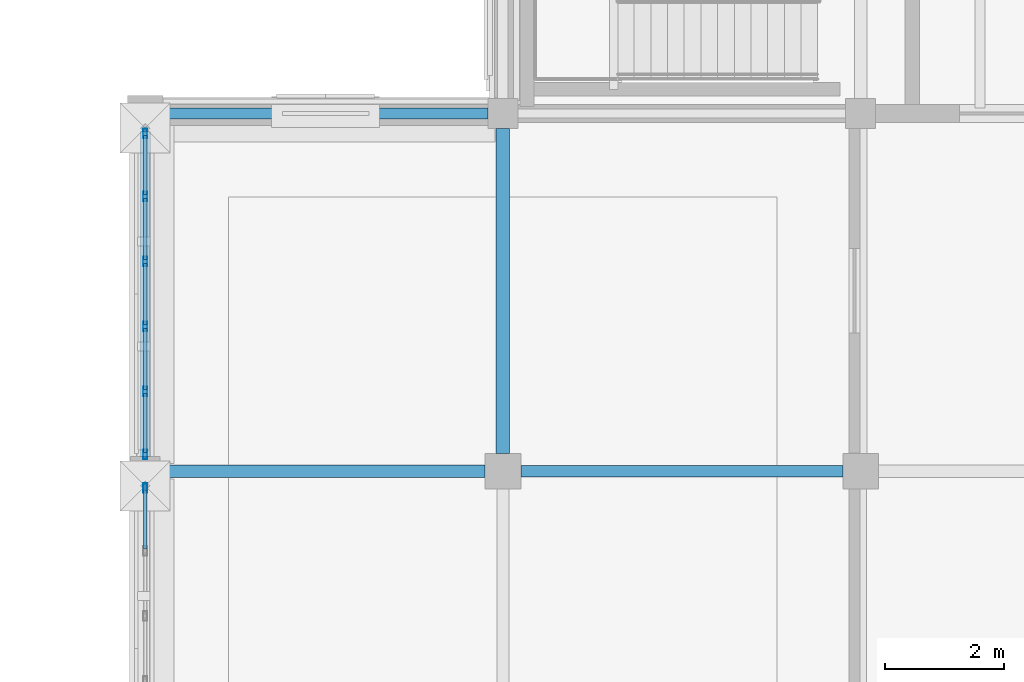
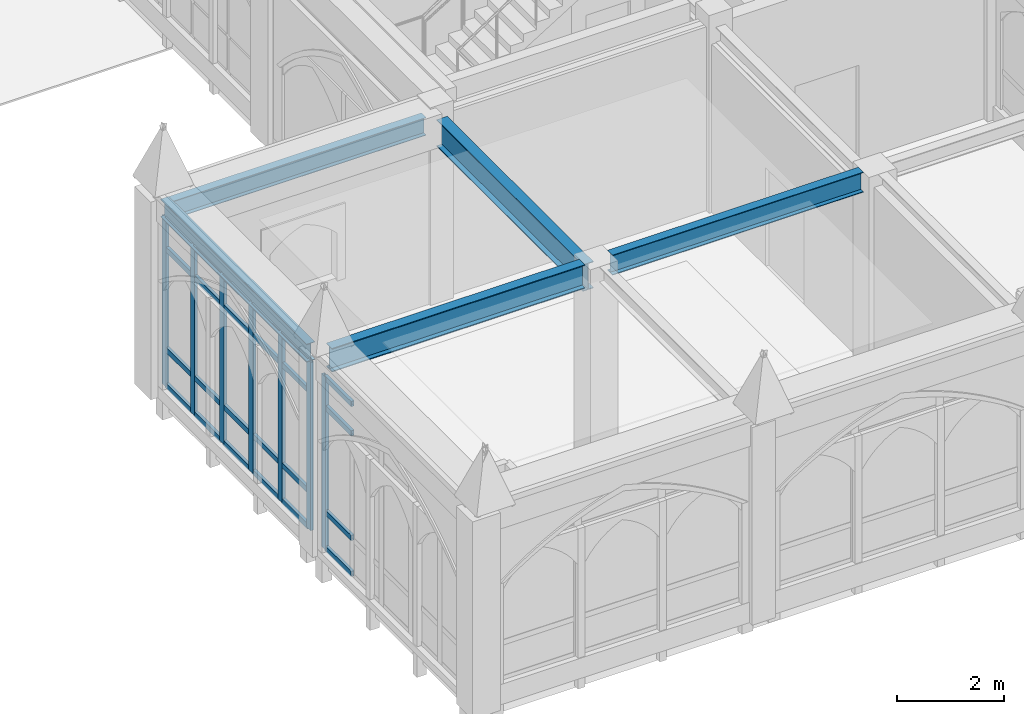
# One storey, part 8 of 127: 31 members, 5 beams, 2 elements without a shape of their own.
"""IFC4 building model written with IfcOpenShell, lengths in metres."""

from ifc_helpers import new_model, si_unit, direction, frame, origin, origin_2d, place, context, subcontext, project, spatial, hollow_rectangle, i_section, extrude, material, layer, layer_set, material_profile, profile_set, type_object, element, aggregate, save


model = new_model("IFC4")

# Units and contexts
model_context = context("Model", 3, precision=1e-05, world=origin(), true_north=direction((0.0, 1.0)))
body_context = subcontext(model_context, "Body", "Model", "MODEL_VIEW")
ifc_project = project(units=[si_unit("LENGTHUNIT", "METRE"), si_unit("AREAUNIT", "SQUARE_METRE"), si_unit("VOLUMEUNIT", "CUBIC_METRE"), si_unit("PLANEANGLEUNIT", "RADIAN"), si_unit("MASSUNIT", "GRAM", prefix="KILO")], contexts=[model_context])

# Site, building, storey
site_placement = place(None, origin())
site = spatial("IfcSite", under=ifc_project, at=site_placement, CompositionType="ELEMENT")
building_placement = place(site_placement, origin())
building = spatial("IfcBuilding", under=site, at=building_placement, Name="Cumevento Cable Car Station", CompositionType="ELEMENT")
storey_placement = place(building_placement, frame((0.0, 0.0, 4.5)))
storey = spatial("IfcBuildingStorey", under=building, at=storey_placement, Name="L02", CompositionType="ELEMENT", Elevation=4.5)

# Curtain wall, member
ifc_material_1 = material(Name="Anodised Bronze Aluminium AW-6063-T6", Category="aluminium")
ifc_layer_1 = layer(ifc_material_1, 0.159912109375)
ifc_layer_set_1 = layer_set([ifc_layer_1], Name="Anodised Bronze Aluminium AW-6063-T6")
curtain_wall_type_1 = type_object("IfcCurtainWallType", Name="Lancet Curtain Wall CW-01 1050", PredefinedType="NOTDEFINED", material=ifc_layer_set_1)
curtain_wall_1_placement = place(storey_placement, origin())
curtain_wall_1 = element("IfcCurtainWall", 1, at=curtain_wall_1_placement, inside=storey, type_object=curtain_wall_type_1, Name="Lancet Curtain Wall CW-01 L02 #48", PredefinedType="NOTDEFINED")
ifc_material_2 = material(Name="Anodised Bronze Aluminium AW-6063-T6", Category="aluminium")
ifc_material_profile_1 = material_profile(ifc_material_2, hollow_rectangle(XDim=0.06494140625, YDim=0.159912109375, WallThickness=0.00390625, at=origin_2d()), Name="ALUM65x160x4")
ifc_profile_set_1 = profile_set([ifc_material_profile_1], Name="Anodised Bronze Aluminium AW-6063-T6")
member_type_1 = type_object("IfcMemberType", Name="Curtain Mullion CWM-01 ALUM65x160x4", PredefinedType="MULLION", material=ifc_profile_set_1)
member_1_placement = place(storey_placement, frame((4.0, 20.717529296875, 0.159912109375), z_axis=(0.0, 0.0, 1.0), x_axis=(-1.0, 0.0, 0.0)))
member_1 = element("IfcMember", 2, at=member_1_placement, type_object=member_type_1, Name="CW-01 mullion 6", PredefinedType="MULLION", context=body_context, shape_type="SweptSolid", body=[
    extrude(hollow_rectangle(XDim=0.06494140625, YDim=0.159912109375, WallThickness=0.00390625, at=origin_2d()), origin(), (0.0, 0.0, 1.0), 3.93310546875),
])

# Curtain wall, members
ifc_material_3 = material(Name="Anodised Bronze Aluminium AW-6063-T6", Category="aluminium")
ifc_layer_2 = layer(ifc_material_3, 0.172119140625)
ifc_layer_set_2 = layer_set([ifc_layer_2], Name="Anodised Bronze Aluminium AW-6063-T6")
curtain_wall_type_2 = type_object("IfcCurtainWallType", Name="Lancet Curtain Wall CW-03 1130", PredefinedType="NOTDEFINED", material=ifc_layer_set_2)
curtain_wall_2_placement = place(storey_placement, origin())
curtain_wall_2 = element("IfcCurtainWall", 3, at=curtain_wall_2_placement, inside=storey, type_object=curtain_wall_type_2, Name="Lancet Curtain Wall CW-03 L02 #50", PredefinedType="NOTDEFINED")
member_2_placement = place(storey_placement, frame((4.0, 21.282470703125, 0.260009765625), z_axis=(0.0, 0.0, 1.0), x_axis=(-1.0, 0.0, 0.0)))
member_2 = element("IfcMember", 4, at=member_2_placement, type_object=member_type_1, Name="CW-03 mullion 1", PredefinedType="MULLION", context=body_context, shape_type="SweptSolid", body=[
    extrude(hollow_rectangle(XDim=0.06494140625, YDim=0.159912109375, WallThickness=0.00390625, at=origin_2d()), origin(), (0.0, 0.0, 1.0), 3.8330078125),
])
member_3_placement = place(storey_placement, frame((4.0, 22.340087890625, 0.260009765625), z_axis=(0.0, 0.0, 1.0), x_axis=(-1.0, 0.0, 0.0)))
member_3 = element("IfcMember", 5, at=member_3_placement, type_object=member_type_1, Name="CW-03 mullion 2", PredefinedType="MULLION", context=body_context, shape_type="SweptSolid", body=[
    extrude(hollow_rectangle(XDim=0.06494140625, YDim=0.159912109375, WallThickness=0.00390625, at=origin_2d()), origin(), (0.0, 0.0, 1.0), 3.8330078125),
])
member_4_placement = place(storey_placement, frame((4.0, 23.429931640625, 0.260009765625), z_axis=(0.0, 0.0, 1.0), x_axis=(-1.0, 0.0, 0.0)))
member_4 = element("IfcMember", 6, at=member_4_placement, type_object=member_type_1, Name="CW-03 mullion 3", PredefinedType="MULLION", context=body_context, shape_type="SweptSolid", body=[
    extrude(hollow_rectangle(XDim=0.06494140625, YDim=0.159912109375, WallThickness=0.00390625, at=origin_2d()), origin(), (0.0, 0.0, 1.0), 3.8330078125),
])
member_5_placement = place(storey_placement, frame((4.0, 24.52001953125, 0.260009765625), z_axis=(0.0, 0.0, 1.0), x_axis=(-1.0, 0.0, 0.0)))
member_5 = element("IfcMember", 7, at=member_5_placement, type_object=member_type_1, Name="CW-03 mullion 4", PredefinedType="MULLION", context=body_context, shape_type="SweptSolid", body=[
    extrude(hollow_rectangle(XDim=0.06494140625, YDim=0.159912109375, WallThickness=0.00390625, at=origin_2d()), origin(), (0.0, 0.0, 1.0), 3.8330078125),
])
member_6_placement = place(storey_placement, frame((4.0, 25.610107421875, 0.260009765625), z_axis=(0.0, 0.0, 1.0), x_axis=(-1.0, 0.0, 0.0)))
member_6 = element("IfcMember", 8, at=member_6_placement, type_object=member_type_1, Name="CW-03 mullion 5", PredefinedType="MULLION", context=body_context, shape_type="SweptSolid", body=[
    extrude(hollow_rectangle(XDim=0.06494140625, YDim=0.159912109375, WallThickness=0.00390625, at=origin_2d()), origin(), (0.0, 0.0, 1.0), 3.8330078125),
])
member_7_placement = place(storey_placement, frame((4.0, 26.66748046875, 0.260009765625), z_axis=(0.0, 0.0, 1.0), x_axis=(-1.0, 0.0, 0.0)))
member_7 = element("IfcMember", 9, at=member_7_placement, type_object=member_type_1, Name="CW-03 mullion 6", PredefinedType="MULLION", context=body_context, shape_type="SweptSolid", body=[
    extrude(hollow_rectangle(XDim=0.06494140625, YDim=0.159912109375, WallThickness=0.00390625, at=origin_2d()), origin(), (0.0, 0.0, 1.0), 3.8330078125),
])

# Member
ifc_material_4 = material(Name="Anodised Bronze Aluminium AW-6063-T6", Category="aluminium")
ifc_material_profile_2 = material_profile(ifc_material_4, hollow_rectangle(XDim=0.06494140625, YDim=0.1201171875, WallThickness=0.00390625, at=origin_2d()), Name="ALUT65x120x4")
ifc_profile_set_2 = profile_set([ifc_material_profile_2], Name="Anodised Bronze Aluminium AW-6063-T6")
member_type_2 = type_object("IfcMemberType", Name="Curtain Transom CWT-01 ALUT65x120x4", PredefinedType="USERDEFINED", material=ifc_profile_set_2)
member_8_placement = place(storey_placement, frame((4.0, 19.6923828125, 0.1923828125), z_axis=(0.0, 1.0, 0.0), x_axis=(-1.0, 0.0, 0.0)))
member_8 = element("IfcMember", 10, at=member_8_placement, type_object=member_type_2, Name="CW-01 transom 5.1", ObjectType="TRANSOM", PredefinedType="USERDEFINED", context=body_context, shape_type="SweptSolid", body=[
    extrude(hollow_rectangle(XDim=0.06494140625, YDim=0.1201171875, WallThickness=0.00390625, at=origin_2d()), origin(), (0.0, 0.0, 1.0), 0.99267578125),
])

member_9_placement = place(storey_placement, frame((4.0, 19.6923828125, 1.010009765625), z_axis=(0.0, 1.0, 0.0), x_axis=(-1.0, 0.0, 0.0)))
member_9 = element("IfcMember", 11, at=member_9_placement, type_object=member_type_2, Name="CW-01 transom 5.2", ObjectType="TRANSOM", PredefinedType="USERDEFINED", context=body_context, shape_type="SweptSolid", body=[
    extrude(hollow_rectangle(XDim=0.06494140625, YDim=0.1201171875, WallThickness=0.00390625, at=origin_2d()), origin(), (0.0, 0.0, 1.0), 0.99267578125),
])

member_10_placement = place(storey_placement, frame((4.0, 19.6923828125, 3.39306640625), z_axis=(0.0, 1.0, 0.0), x_axis=(-1.0, 0.0, 0.0)))
member_10 = element("IfcMember", 12, at=member_10_placement, type_object=member_type_2, Name="CW-01 transom 5.3", ObjectType="TRANSOM", PredefinedType="USERDEFINED", context=body_context, shape_type="SweptSolid", body=[
    extrude(hollow_rectangle(XDim=0.06494140625, YDim=0.1201171875, WallThickness=0.00390625, at=origin_2d()), origin(), (0.0, 0.0, 1.0), 0.99267578125),
])

member_11_placement = place(storey_placement, frame((4.0, 19.6923828125, 4.060546875), z_axis=(0.0, 1.0, 0.0), x_axis=(-1.0, 0.0, 0.0)))
member_11 = element("IfcMember", 13, at=member_11_placement, type_object=member_type_2, Name="CW-01 transom 5.4", ObjectType="TRANSOM", PredefinedType="USERDEFINED", context=body_context, shape_type="SweptSolid", body=[
    extrude(hollow_rectangle(XDim=0.06494140625, YDim=0.1201171875, WallThickness=0.00390625, at=origin_2d()), origin(), (0.0, 0.0, 1.0), 0.99267578125),
])

aggregate(curtain_wall_1, [member_1, member_8, member_9, member_10, member_11])

member_12_placement = place(storey_placement, frame((4.0, 21.31494140625, 0.29248046875), z_axis=(0.0, 1.0, 0.0), x_axis=(-1.0, 0.0, 0.0)))
member_12 = element("IfcMember", 14, at=member_12_placement, type_object=member_type_2, Name="CW-03 transom 1.1", ObjectType="TRANSOM", PredefinedType="USERDEFINED", context=body_context, shape_type="SweptSolid", body=[
    extrude(hollow_rectangle(XDim=0.06494140625, YDim=0.1201171875, WallThickness=0.00390625, at=origin_2d()), origin(), (0.0, 0.0, 1.0), 0.99267578125),
])

member_13_placement = place(storey_placement, frame((4.0, 21.31494140625, 1.110107421875), z_axis=(0.0, 1.0, 0.0), x_axis=(-1.0, 0.0, 0.0)))
member_13 = element("IfcMember", 15, at=member_13_placement, type_object=member_type_2, Name="CW-03 transom 1.2", ObjectType="TRANSOM", PredefinedType="USERDEFINED", context=body_context, shape_type="SweptSolid", body=[
    extrude(hollow_rectangle(XDim=0.06494140625, YDim=0.1201171875, WallThickness=0.00390625, at=origin_2d()), origin(), (0.0, 0.0, 1.0), 0.99267578125),
])

member_14_placement = place(storey_placement, frame((4.0, 21.31494140625, 3.39306640625), z_axis=(0.0, 1.0, 0.0), x_axis=(-1.0, 0.0, 0.0)))
member_14 = element("IfcMember", 16, at=member_14_placement, type_object=member_type_2, Name="CW-03 transom 1.3", ObjectType="TRANSOM", PredefinedType="USERDEFINED", context=body_context, shape_type="SweptSolid", body=[
    extrude(hollow_rectangle(XDim=0.06494140625, YDim=0.1201171875, WallThickness=0.00390625, at=origin_2d()), origin(), (0.0, 0.0, 1.0), 0.99267578125),
])

member_15_placement = place(storey_placement, frame((4.0, 21.31494140625, 4.060546875), z_axis=(0.0, 1.0, 0.0), x_axis=(-1.0, 0.0, 0.0)))
member_15 = element("IfcMember", 17, at=member_15_placement, type_object=member_type_2, Name="CW-03 transom 1.4", ObjectType="TRANSOM", PredefinedType="USERDEFINED", context=body_context, shape_type="SweptSolid", body=[
    extrude(hollow_rectangle(XDim=0.06494140625, YDim=0.1201171875, WallThickness=0.00390625, at=origin_2d()), origin(), (0.0, 0.0, 1.0), 0.99267578125),
])

member_16_placement = place(storey_placement, frame((4.0, 22.37255859375, 0.29248046875), z_axis=(0.0, 1.0, 0.0), x_axis=(-1.0, 0.0, 0.0)))
member_16 = element("IfcMember", 18, at=member_16_placement, type_object=member_type_2, Name="CW-03 transom 2.1", ObjectType="TRANSOM", PredefinedType="USERDEFINED", context=body_context, shape_type="SweptSolid", body=[
    extrude(hollow_rectangle(XDim=0.06494140625, YDim=0.1201171875, WallThickness=0.00390625, at=origin_2d()), origin(), (0.0, 0.0, 1.0), 1.02490234375),
])

member_17_placement = place(storey_placement, frame((4.0, 22.37255859375, 1.110107421875), z_axis=(0.0, 1.0, 0.0), x_axis=(-1.0, 0.0, 0.0)))
member_17 = element("IfcMember", 19, at=member_17_placement, type_object=member_type_2, Name="CW-03 transom 2.2", ObjectType="TRANSOM", PredefinedType="USERDEFINED", context=body_context, shape_type="SweptSolid", body=[
    extrude(hollow_rectangle(XDim=0.06494140625, YDim=0.1201171875, WallThickness=0.00390625, at=origin_2d()), origin(), (0.0, 0.0, 1.0), 1.02490234375),
])

member_18_placement = place(storey_placement, frame((4.0, 22.37255859375, 3.39306640625), z_axis=(0.0, 1.0, 0.0), x_axis=(-1.0, 0.0, 0.0)))
member_18 = element("IfcMember", 20, at=member_18_placement, type_object=member_type_2, Name="CW-03 transom 2.3", ObjectType="TRANSOM", PredefinedType="USERDEFINED", context=body_context, shape_type="SweptSolid", body=[
    extrude(hollow_rectangle(XDim=0.06494140625, YDim=0.1201171875, WallThickness=0.00390625, at=origin_2d()), origin(), (0.0, 0.0, 1.0), 1.02490234375),
])

member_19_placement = place(storey_placement, frame((4.0, 22.37255859375, 4.060546875), z_axis=(0.0, 1.0, 0.0), x_axis=(-1.0, 0.0, 0.0)))
member_19 = element("IfcMember", 21, at=member_19_placement, type_object=member_type_2, Name="CW-03 transom 2.4", ObjectType="TRANSOM", PredefinedType="USERDEFINED", context=body_context, shape_type="SweptSolid", body=[
    extrude(hollow_rectangle(XDim=0.06494140625, YDim=0.1201171875, WallThickness=0.00390625, at=origin_2d()), origin(), (0.0, 0.0, 1.0), 1.02490234375),
])

member_20_placement = place(storey_placement, frame((4.0, 23.46240234375, 0.29248046875), z_axis=(0.0, 1.0, 0.0), x_axis=(-1.0, 0.0, 0.0)))
member_20 = element("IfcMember", 22, at=member_20_placement, type_object=member_type_2, Name="CW-03 transom 3.1", ObjectType="TRANSOM", PredefinedType="USERDEFINED", context=body_context, shape_type="SweptSolid", body=[
    extrude(hollow_rectangle(XDim=0.06494140625, YDim=0.1201171875, WallThickness=0.00390625, at=origin_2d()), origin(), (0.0, 0.0, 1.0), 1.025146484375),
])

member_21_placement = place(storey_placement, frame((4.0, 23.46240234375, 1.110107421875), z_axis=(0.0, 1.0, 0.0), x_axis=(-1.0, 0.0, 0.0)))
member_21 = element("IfcMember", 23, at=member_21_placement, type_object=member_type_2, Name="CW-03 transom 3.2", ObjectType="TRANSOM", PredefinedType="USERDEFINED", context=body_context, shape_type="SweptSolid", body=[
    extrude(hollow_rectangle(XDim=0.06494140625, YDim=0.1201171875, WallThickness=0.00390625, at=origin_2d()), origin(), (0.0, 0.0, 1.0), 1.025146484375),
])

member_22_placement = place(storey_placement, frame((4.0, 23.46240234375, 3.39306640625), z_axis=(0.0, 1.0, 0.0), x_axis=(-1.0, 0.0, 0.0)))
member_22 = element("IfcMember", 24, at=member_22_placement, type_object=member_type_2, Name="CW-03 transom 3.3", ObjectType="TRANSOM", PredefinedType="USERDEFINED", context=body_context, shape_type="SweptSolid", body=[
    extrude(hollow_rectangle(XDim=0.06494140625, YDim=0.1201171875, WallThickness=0.00390625, at=origin_2d()), origin(), (0.0, 0.0, 1.0), 1.025146484375),
])

member_23_placement = place(storey_placement, frame((4.0, 23.46240234375, 4.060546875), z_axis=(0.0, 1.0, 0.0), x_axis=(-1.0, 0.0, 0.0)))
member_23 = element("IfcMember", 25, at=member_23_placement, type_object=member_type_2, Name="CW-03 transom 3.4", ObjectType="TRANSOM", PredefinedType="USERDEFINED", context=body_context, shape_type="SweptSolid", body=[
    extrude(hollow_rectangle(XDim=0.06494140625, YDim=0.1201171875, WallThickness=0.00390625, at=origin_2d()), origin(), (0.0, 0.0, 1.0), 1.025146484375),
])

member_24_placement = place(storey_placement, frame((4.0, 24.552490234375, 0.29248046875), z_axis=(0.0, 1.0, 0.0), x_axis=(-1.0, 0.0, 0.0)))
member_24 = element("IfcMember", 26, at=member_24_placement, type_object=member_type_2, Name="CW-03 transom 4.1", ObjectType="TRANSOM", PredefinedType="USERDEFINED", context=body_context, shape_type="SweptSolid", body=[
    extrude(hollow_rectangle(XDim=0.06494140625, YDim=0.1201171875, WallThickness=0.00390625, at=origin_2d()), origin(), (0.0, 0.0, 1.0), 1.02490234375),
])

member_25_placement = place(storey_placement, frame((4.0, 24.552490234375, 1.110107421875), z_axis=(0.0, 1.0, 0.0), x_axis=(-1.0, 0.0, 0.0)))
member_25 = element("IfcMember", 27, at=member_25_placement, type_object=member_type_2, Name="CW-03 transom 4.2", ObjectType="TRANSOM", PredefinedType="USERDEFINED", context=body_context, shape_type="SweptSolid", body=[
    extrude(hollow_rectangle(XDim=0.06494140625, YDim=0.1201171875, WallThickness=0.00390625, at=origin_2d()), origin(), (0.0, 0.0, 1.0), 1.02490234375),
])

member_26_placement = place(storey_placement, frame((4.0, 24.552490234375, 3.39306640625), z_axis=(0.0, 1.0, 0.0), x_axis=(-1.0, 0.0, 0.0)))
member_26 = element("IfcMember", 28, at=member_26_placement, type_object=member_type_2, Name="CW-03 transom 4.3", ObjectType="TRANSOM", PredefinedType="USERDEFINED", context=body_context, shape_type="SweptSolid", body=[
    extrude(hollow_rectangle(XDim=0.06494140625, YDim=0.1201171875, WallThickness=0.00390625, at=origin_2d()), origin(), (0.0, 0.0, 1.0), 1.02490234375),
])

member_27_placement = place(storey_placement, frame((4.0, 24.552490234375, 4.060546875), z_axis=(0.0, 1.0, 0.0), x_axis=(-1.0, 0.0, 0.0)))
member_27 = element("IfcMember", 29, at=member_27_placement, type_object=member_type_2, Name="CW-03 transom 4.4", ObjectType="TRANSOM", PredefinedType="USERDEFINED", context=body_context, shape_type="SweptSolid", body=[
    extrude(hollow_rectangle(XDim=0.06494140625, YDim=0.1201171875, WallThickness=0.00390625, at=origin_2d()), origin(), (0.0, 0.0, 1.0), 1.02490234375),
])

member_28_placement = place(storey_placement, frame((4.0, 25.642578125, 0.29248046875), z_axis=(0.0, 1.0, 0.0), x_axis=(-1.0, 0.0, 0.0)))
member_28 = element("IfcMember", 30, at=member_28_placement, type_object=member_type_2, Name="CW-03 transom 5.1", ObjectType="TRANSOM", PredefinedType="USERDEFINED", context=body_context, shape_type="SweptSolid", body=[
    extrude(hollow_rectangle(XDim=0.06494140625, YDim=0.1201171875, WallThickness=0.00390625, at=origin_2d()), origin(), (0.0, 0.0, 1.0), 0.992431640625),
])

member_29_placement = place(storey_placement, frame((4.0, 25.642578125, 1.110107421875), z_axis=(0.0, 1.0, 0.0), x_axis=(-1.0, 0.0, 0.0)))
member_29 = element("IfcMember", 31, at=member_29_placement, type_object=member_type_2, Name="CW-03 transom 5.2", ObjectType="TRANSOM", PredefinedType="USERDEFINED", context=body_context, shape_type="SweptSolid", body=[
    extrude(hollow_rectangle(XDim=0.06494140625, YDim=0.1201171875, WallThickness=0.00390625, at=origin_2d()), origin(), (0.0, 0.0, 1.0), 0.992431640625),
])

member_30_placement = place(storey_placement, frame((4.0, 25.642578125, 3.39306640625), z_axis=(0.0, 1.0, 0.0), x_axis=(-1.0, 0.0, 0.0)))
member_30 = element("IfcMember", 32, at=member_30_placement, type_object=member_type_2, Name="CW-03 transom 5.3", ObjectType="TRANSOM", PredefinedType="USERDEFINED", context=body_context, shape_type="SweptSolid", body=[
    extrude(hollow_rectangle(XDim=0.06494140625, YDim=0.1201171875, WallThickness=0.00390625, at=origin_2d()), origin(), (0.0, 0.0, 1.0), 0.992431640625),
])

member_31_placement = place(storey_placement, frame((4.0, 25.642578125, 4.060546875), z_axis=(0.0, 1.0, 0.0), x_axis=(-1.0, 0.0, 0.0)))
member_31 = element("IfcMember", 33, at=member_31_placement, type_object=member_type_2, Name="CW-03 transom 5.4", ObjectType="TRANSOM", PredefinedType="USERDEFINED", context=body_context, shape_type="SweptSolid", body=[
    extrude(hollow_rectangle(XDim=0.06494140625, YDim=0.1201171875, WallThickness=0.00390625, at=origin_2d()), origin(), (0.0, 0.0, 1.0), 0.992431640625),
])

aggregate(curtain_wall_2, [member_2, member_3, member_4, member_5, member_6, member_7, member_12, member_13, member_14, member_15, member_16, member_17, member_18, member_19, member_20, member_21, member_22, member_23, member_24, member_25, member_26, member_27, member_28, member_29, member_30, member_31])

# Beams
ifc_material_5 = material(Name="Steel ASTM A572 Grade 50", Category="steel")
ifc_material_profile_3 = material_profile(ifc_material_5, i_section(OverallWidth=0.22802734375, OverallDepth=0.60791015625, WebThickness=0.01123046875, FlangeThickness=0.017333984375, at=origin_2d()), Name="W610x113.0")
ifc_profile_set_3 = profile_set([ifc_material_profile_3], Name="Steel ASTM A572 Grade 50")
beam_type_1 = type_object("IfcBeamType", Name="Structural Beam BM-02 W610x113.0", PredefinedType="BEAM", material=ifc_profile_set_3)
beam_1_placement = place(storey_placement, frame((10.0, 21.300048828125, 3.881103515625), z_axis=(0.0, 1.0, 0.0), x_axis=(-1.0, 0.0, 0.0)))
element("IfcBeam", 34, at=beam_1_placement, inside=storey, type_object=beam_type_1, Name="Beam BM-02 L02 #529", PredefinedType="BEAM", context=body_context, shape_type="SweptSolid", body=[
    extrude(i_section(OverallWidth=0.22802734375, OverallDepth=0.60791015625, WebThickness=0.01123046875, FlangeThickness=0.017333984375, at=origin_2d()), origin(), (0.0, 0.0, 1.0), 5.449951171875),
])
ifc_material_6 = material(Name="Steel ASTM A572 Grade 50", Category="steel")
ifc_material_profile_4 = material_profile(ifc_material_6, i_section(OverallWidth=0.18994140625, OverallDepth=0.45703125, WebThickness=0.009033203125, FlangeThickness=0.014404296875, at=origin_2d()), Name="W460x74.0")
ifc_profile_set_4 = profile_set([ifc_material_profile_4], Name="Steel ASTM A572 Grade 50")
beam_type_2 = type_object("IfcBeamType", Name="Structural Beam BM-04 W460x74.0", PredefinedType="BEAM", material=ifc_profile_set_4)
beam_2_placement = place(storey_placement, frame((10.300048828125, 21.0, 4.271484375), z_axis=(1.0, 0.0, 0.0), x_axis=(0.0, 1.0, 0.0)))
element("IfcBeam", 35, at=beam_2_placement, inside=storey, type_object=beam_type_2, Name="Beam BM-04 L02 #521", PredefinedType="BEAM", context=body_context, shape_type="SweptSolid", body=[
    extrude(i_section(OverallWidth=0.18994140625, OverallDepth=0.45703125, WebThickness=0.009033203125, FlangeThickness=0.014404296875, at=origin_2d()), origin(), (0.0, 0.0, 1.0), 5.39990234375),
])
ifc_material_7 = material(Name="Steel ASTM A572 Grade 50", Category="steel")
ifc_material_profile_5 = material_profile(ifc_material_7, i_section(OverallWidth=0.2109375, OverallDepth=0.5390625, WebThickness=0.01171875, FlangeThickness=0.018798828125, at=origin_2d()), Name="W530x109.0")
ifc_profile_set_5 = profile_set([ifc_material_profile_5], Name="Steel ASTM A572 Grade 50")
beam_type_3 = type_object("IfcBeamType", Name="Structural Beam BM-11 W530x109.0", PredefinedType="BEAM", material=ifc_profile_set_5)
beam_3_placement = place(storey_placement, frame((4.25, 21.0, 4.23046875), z_axis=(1.0, 0.0, 0.0), x_axis=(0.0, 1.0, 0.0)))
element("IfcBeam", 36, at=beam_3_placement, inside=storey, type_object=beam_type_3, Name="Beam BM-11 L02 #520", PredefinedType="BEAM", context=body_context, shape_type="SweptSolid", body=[
    extrude(i_section(OverallWidth=0.2109375, OverallDepth=0.5390625, WebThickness=0.01171875, FlangeThickness=0.018798828125, at=origin_2d()), origin(), (0.0, 0.0, 1.0), 5.449951171875),
])
ifc_material_8 = material(Name="Steel ASTM A572 Grade 50", Category="steel")
ifc_material_profile_6 = material_profile(ifc_material_8, i_section(OverallWidth=0.177978515625, OverallDepth=0.406982421875, WebThickness=0.0078125, FlangeThickness=0.0126953125, at=origin_2d()), Name="W410x60.0")
ifc_profile_set_6 = profile_set([ifc_material_profile_6], Name="Steel ASTM A572 Grade 50")
beam_type_4 = type_object("IfcBeamType", Name="Structural Spandrel SP-01 W410x60.0", PredefinedType="SPANDREL", material=ifc_profile_set_6)
for number, where, z_axis, x_axis, name in (
    (37, (4.300048828125, 27.0, 3.9814453125), (1.0, 0.0, 0.0), (0.0, 1.0, 0.0), "Beam SP-01 L02 #523"),
    (38, (4.0, 21.25, 4.29638671875), (0.0, 1.0, 0.0), (-1.0, 0.0, 0.0), "Beam SP-01 L02 #527"),
):
    element("IfcBeam", number, at=place(storey_placement, frame(where, z_axis=z_axis, x_axis=x_axis)), inside=storey, type_object=beam_type_4, Name=name, PredefinedType="SPANDREL", context=body_context, shape_type="SweptSolid", body=[
        extrude(i_section(OverallWidth=0.177978515625, OverallDepth=0.406982421875, WebThickness=0.0078125, FlangeThickness=0.0126953125, at=origin_2d()), origin(), (0.0, 0.0, 1.0), 5.449951171875),
    ])

save(model, "model.ifc")
